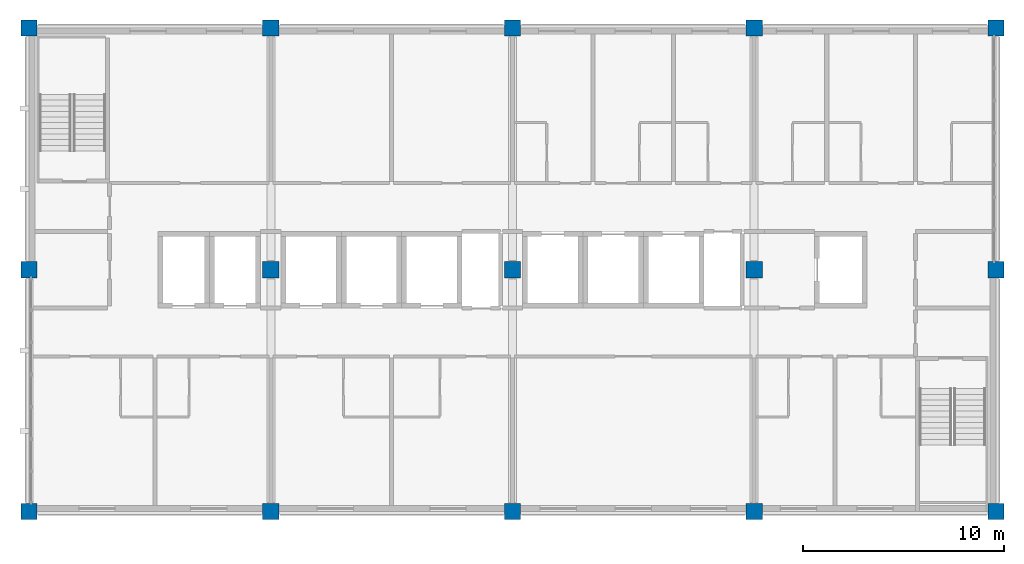
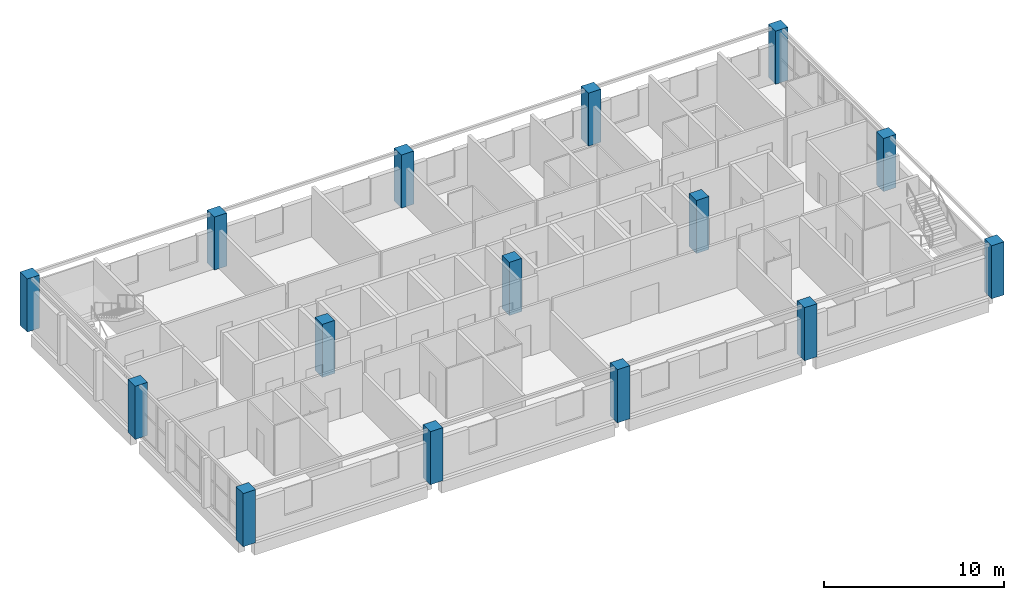
# One storey, part 1 of 11: 15 columns.
"""IFC4 building model written with IfcOpenShell, lengths in metres."""

import ifcopenshell
import ifcopenshell.guid

model = None  # the IFC model being written
_history = None  # IfcOwnerHistory: only IFC2X3 demands one
_inside = {}  # id of a spatial element -> (the spatial element, [elements in it])
_under = {}  # id of a project, library or spatial element -> (it, [spatial elements below it])
_declared = {}  # id of a project -> (the project, [libraries it declares])
_typed = {}  # id of a type object -> (the type object, [elements of that type])
_made_of = {}  # id of a material, layer set ... -> (it, [elements and type objects made of it])


def new_model(schema):
    """Start an empty IFC model of exactly this schema.

    Asked for "IFC4X3", IfcOpenShell would pick the latest addendum, in which some entities
    have other attributes; the version numbers below select the first issue.
    IFC2X3 requires an IfcOwnerHistory on every rooted entity: one is made here for all.
    """
    global model, _history
    if schema == "IFC4X3":
        model = ifcopenshell.file(schema_version=(4, 3, 0, 0))
    else:
        model = ifcopenshell.file(schema=schema)
    _inside.clear()
    _under.clear()
    _declared.clear()
    _typed.clear()
    _made_of.clear()
    _history = None
    if model.schema == "IFC2X3":
        org = make("IfcOrganization", Name="unknown")
        user = make(
            "IfcPersonAndOrganization",
            ThePerson=make("IfcPerson", FamilyName="unknown"),
            TheOrganization=org,
        )
        app = make(
            "IfcApplication",
            ApplicationDeveloper=org,
            Version="unknown",
            ApplicationFullName="unknown",
            ApplicationIdentifier="unknown",
        )
        _history = make(
            "IfcOwnerHistory",
            OwningUser=user,
            OwningApplication=app,
            ChangeAction="ADDED",
            CreationDate=0,
        )
    return model


def make(cls, **values):
    """One entity of the class cls with the attributes given. An attribute that is None is left unset."""
    return model.create_entity(
        cls, **{name: value for name, value in values.items() if value is not None}
    )


def rooted(cls, **values):
    """An entity with a GlobalId (a new one), such as an element, a storey or a relation."""
    return make(cls, GlobalId=ifcopenshell.guid.new(), OwnerHistory=_history, **values)


def si_unit(unit_type, name, prefix=None):
    """IfcSIUnit, for example si_unit("LENGTHUNIT", "METRE", prefix="MILLI")."""
    return make("IfcSIUnit", UnitType=unit_type, Prefix=prefix, Name=name)


def assignment(units):
    """IfcUnitAssignment: the units of a project."""
    return None if units is None else make("IfcUnitAssignment", Units=units)


def point(xyz):
    """IfcCartesianPoint."""
    return None if xyz is None else make("IfcCartesianPoint", Coordinates=xyz)


def direction(xyz):
    """IfcDirection."""
    return None if xyz is None else make("IfcDirection", DirectionRatios=xyz)


def frame(location, z_axis=None, x_axis=None):
    """IfcAxis2Placement3D, a coordinate frame: its origin and axes. An axis left out is left unset."""
    return make(
        "IfcAxis2Placement3D",
        Location=point(location),
        Axis=direction(z_axis),
        RefDirection=direction(x_axis),
    )


def frame_2d(location, x_axis=None):
    """IfcAxis2Placement2D, a coordinate frame in the plane: its origin and x axis."""
    return make(
        "IfcAxis2Placement2D", Location=point(location), RefDirection=direction(x_axis)
    )


def origin():
    """The frame at (0, 0, 0) with its axes left unset."""
    return frame((0.0, 0.0, 0.0))


def origin_2d():
    """The frame at (0, 0) in the plane with its x axis left unset."""
    return frame_2d((0.0, 0.0))


def place(relative_to, where):
    """IfcLocalPlacement: puts the frame where relative to a parent placement (None: the world)."""
    return make(
        "IfcLocalPlacement", PlacementRelTo=relative_to, RelativePlacement=where
    )


def context(
    kind, dimensions, precision=None, world=None, true_north=None, identifier=None
):
    """IfcGeometricRepresentationContext, for example the 3D "Model" context."""
    return make(
        "IfcGeometricRepresentationContext",
        ContextIdentifier=identifier,
        ContextType=kind,
        CoordinateSpaceDimension=dimensions,
        Precision=precision,
        WorldCoordinateSystem=world,
        TrueNorth=true_north,
    )


def subcontext(parent, identifier, kind, view, scale=None):
    """IfcGeometricRepresentationSubContext, for example "Body" below "Model"."""
    return make(
        "IfcGeometricRepresentationSubContext",
        ContextIdentifier=identifier,
        ContextType=kind,
        ParentContext=parent,
        TargetScale=scale,
        TargetView=view,
    )


def project(units=None, contexts=None):
    """IfcProject with its units and contexts."""
    return rooted(
        "IfcProject",
        Name="project",
        RepresentationContexts=contexts,
        UnitsInContext=assignment(units),
    )


def spatial(cls, under=None, at=None, **own):
    """A site, building, storey or space (cls), placed at a placement, below another one or the project."""
    s = rooted(cls, ObjectPlacement=at, **own)
    if under is not None:
        _under.setdefault(under.id(), (under, []))[1].append(s)
    return s


def profile(cls, at=None, kind="AREA", **sizes):
    """A parametric profile (cls). Its sizes go by their IFC names, for example OverallWidth=200.0."""
    return make(cls, ProfileType=kind, Position=at, **sizes)


def rectangle(**sizes):
    """IfcRectangleProfileDef."""
    return profile("IfcRectangleProfileDef", **sizes)


def extrude(swept, where, along, depth):
    """IfcExtrudedAreaSolid: the profile swept, set in the frame where, extruded along a direction by depth."""
    return make(
        "IfcExtrudedAreaSolid",
        SweptArea=swept,
        Position=where,
        ExtrudedDirection=direction(along),
        Depth=depth,
    )


def shape(context_of_items, identifier, shape_type, items):
    """IfcShapeRepresentation: the items that make up one representation, for example the "Body"."""
    return make(
        "IfcShapeRepresentation",
        ContextOfItems=context_of_items,
        RepresentationIdentifier=identifier,
        RepresentationType=shape_type,
        Items=items,
    )


def material(Name=None, Category=None):
    """IfcMaterial."""
    return make("IfcMaterial", Name=Name, Category=Category)


def material_profile(
    of_material, cross_section, Name=None, Category=None, Priority=None
):
    """IfcMaterialProfile: a cross section and its material."""
    return make(
        "IfcMaterialProfile",
        Name=Name,
        Material=of_material,
        Profile=cross_section,
        Priority=Priority,
        Category=Category,
    )


def profile_set(profiles, Name=None, composite=None):
    """IfcMaterialProfileSet."""
    return make(
        "IfcMaterialProfileSet",
        Name=Name,
        MaterialProfiles=profiles,
        CompositeProfile=composite,
    )


def made_of(thing, what):
    """Note that an element or type object is made of a material, layer set ...; save() writes the relation."""
    if what is not None:
        _made_of.setdefault(what.id(), (what, []))[1].append(thing)
    return thing


def type_object(cls, material=None, **own):
    """A type object (cls), such as IfcWallType, which elements share."""
    return made_of(rooted(cls, **own), material)


def element(
    cls,
    number,
    at=None,
    inside=None,
    cuts=None,
    type_object=None,
    material=None,
    context=None,
    identifier="Body",
    shape_type=None,
    held_by="IfcProductDefinitionShape",
    body=None,
    shapes=None,
    **own,
):
    """One element of the class cls, such as IfcWall. Its Tag is "e" and its number.

    at: its placement. inside: the storey or other place that contains it. cuts: it is an
    opening in that element (IfcRelVoidsElement). A single representation is given by context,
    identifier, shape_type and body (its items); several are given by shapes. held_by: the class
    of the entity that holds the representations. save() writes the other relations.
    """
    e = rooted(cls, Tag="e%d" % number, ObjectPlacement=at, **own)
    if body is not None:
        shapes = [shape(context, identifier, shape_type, body)]
    if shapes is not None:
        e.Representation = make(held_by, Representations=shapes)
    if inside is not None:
        _inside.setdefault(inside.id(), (inside, []))[1].append(e)
    if cuts is not None:
        rooted(
            "IfcRelVoidsElement", RelatingBuildingElement=cuts, RelatedOpeningElement=e
        )
    if type_object is not None:
        _typed.setdefault(type_object.id(), (type_object, []))[1].append(e)
    return made_of(e, material)


def aggregate(whole, parts):
    """IfcRelAggregates: a whole, such as a stair, and the parts it consists of."""
    return rooted("IfcRelAggregates", RelatingObject=whole, RelatedObjects=parts)


def save(model, path):
    """Write the relations noted so far, then the file.

    IfcRelAggregates (storeys below a building ...), IfcRelContainedInSpatialStructure (elements
    in a storey), IfcRelDefinesByType, IfcRelAssociatesMaterial and IfcRelDeclares: one each for
    every whole, place, type object, material and project.
    """
    for whole, parts in _under.values():
        aggregate(whole, parts)
    for where, things in _inside.values():
        rooted(
            "IfcRelContainedInSpatialStructure",
            RelatedElements=things,
            RelatingStructure=where,
        )
    for kind, things in _typed.values():
        rooted("IfcRelDefinesByType", RelatedObjects=things, RelatingType=kind)
    for what, things in _made_of.values():
        rooted("IfcRelAssociatesMaterial", RelatedObjects=things, RelatingMaterial=what)
    for by, libraries in _declared.values():
        rooted("IfcRelDeclares", RelatingContext=by, RelatedDefinitions=libraries)
    model.write(path)


model = new_model("IFC4")

# Units and contexts
model_context = context("Model", 3, precision=1e-05, world=origin(), true_north=direction((0.0, 1.0)))
body_context = subcontext(model_context, "Body", "Model", "MODEL_VIEW")
ifc_project = project(units=[si_unit("LENGTHUNIT", "METRE"), si_unit("AREAUNIT", "SQUARE_METRE"), si_unit("VOLUMEUNIT", "CUBIC_METRE"), si_unit("PLANEANGLEUNIT", "RADIAN"), si_unit("MASSUNIT", "GRAM", prefix="KILO")], contexts=[model_context])

# Site, building, storey
site_placement = place(None, origin())
site = spatial("IfcSite", under=ifc_project, at=site_placement, CompositionType="ELEMENT")
building_placement = place(site_placement, origin())
building = spatial("IfcBuilding", under=site, at=building_placement, Name="Lilac Gate Convention Centre", CompositionType="ELEMENT")
storey_placement = place(building_placement, frame((0.0, 0.0, 35.39990234375)))
storey = spatial("IfcBuildingStorey", under=building, at=storey_placement, Name="L08", CompositionType="ELEMENT", Elevation=35.39990234375)

# Columns
ifc_material = material(Name="Concrete C50", Category="concrete")
ifc_material_profile = material_profile(ifc_material, rectangle(XDim=0.800048828125, YDim=0.800048828125, at=origin_2d()), Name="RC 800x800")
ifc_profile_set = profile_set([ifc_material_profile], Name="Concrete C50")
column_type = type_object("IfcColumnType", Name="RC tower column 800x800 C50", PredefinedType="COLUMN", material=ifc_profile_set)
for number, where, z_axis, x_axis, name in (
    (1, (42.0, 222.0, 0.0), (0.0, 0.0, 1.0), (1.0, 0.0, 0.0), "C5 L08 at 4/S"),
    (2, (42.0, 234.0, 0.0), (0.0, 0.0, 1.0), (1.0, 0.0, 0.0), "C5 L08 at 4/T"),
    (3, (42.0, 246.0, 0.0), (0.0, 0.0, 1.0), (1.0, 0.0, 0.0), "C5 L08 at 4/U"),
    (4, (54.0, 222.0, 0.0), (0.0, 0.0, 1.0), (1.0, 0.0, 0.0), "C5 L08 at 5/S"),
    (5, (54.0, 234.0, 0.0), (0.0, 0.0, 1.0), (1.0, 0.0, 0.0), "C5 L08 at 5/T"),
    (6, (54.0, 246.0, 0.0), (0.0, 0.0, 1.0), (1.0, 0.0, 0.0), "C5 L08 at 5/U"),
    (7, (66.0, 222.0, 0.0), (0.0, 0.0, 1.0), (1.0, 0.0, 0.0), "C5 L08 at 6/S"),
    (8, (66.0, 234.0, 0.0), (0.0, 0.0, 1.0), (1.0, 0.0, 0.0), "C5 L08 at 6/T"),
    (9, (66.0, 246.0, 0.0), (0.0, 0.0, 1.0), (1.0, 0.0, 0.0), "C5 L08 at 6/U"),
    (10, (78.0, 222.0, 0.0), (0.0, 0.0, 1.0), (1.0, 0.0, 0.0), "C5 L08 at 7/S"),
    (11, (78.0, 234.0, 0.0), (0.0, 0.0, 1.0), (1.0, 0.0, 0.0), "C5 L08 at 7/T"),
    (12, (78.0, 246.0, 0.0), (0.0, 0.0, 1.0), (1.0, 0.0, 0.0), "C5 L08 at 7/U"),
    (13, (90.0, 222.0, 0.0), (0.0, 0.0, 1.0), (1.0, 0.0, 0.0), "C5 L08 at 8/S"),
    (14, (90.0, 234.0, 0.0), (0.0, 0.0, 1.0), (1.0, 0.0, 0.0), "C5 L08 at 8/T"),
    (15, (90.0, 246.0, 0.0), (0.0, 0.0, 1.0), (1.0, 0.0, 0.0), "C5 L08 at 8/U"),
):
    element("IfcColumn", number, at=place(storey_placement, frame(where, z_axis=z_axis, x_axis=x_axis)), inside=storey, type_object=column_type, Name=name, PredefinedType="COLUMN", context=body_context, shape_type="SweptSolid", body=[
        extrude(rectangle(XDim=0.800048828125, YDim=0.800048828125, at=origin_2d()), origin(), (0.0, 0.0, 1.0), 3.60009765625),
    ])

save(model, "model.ifc")
